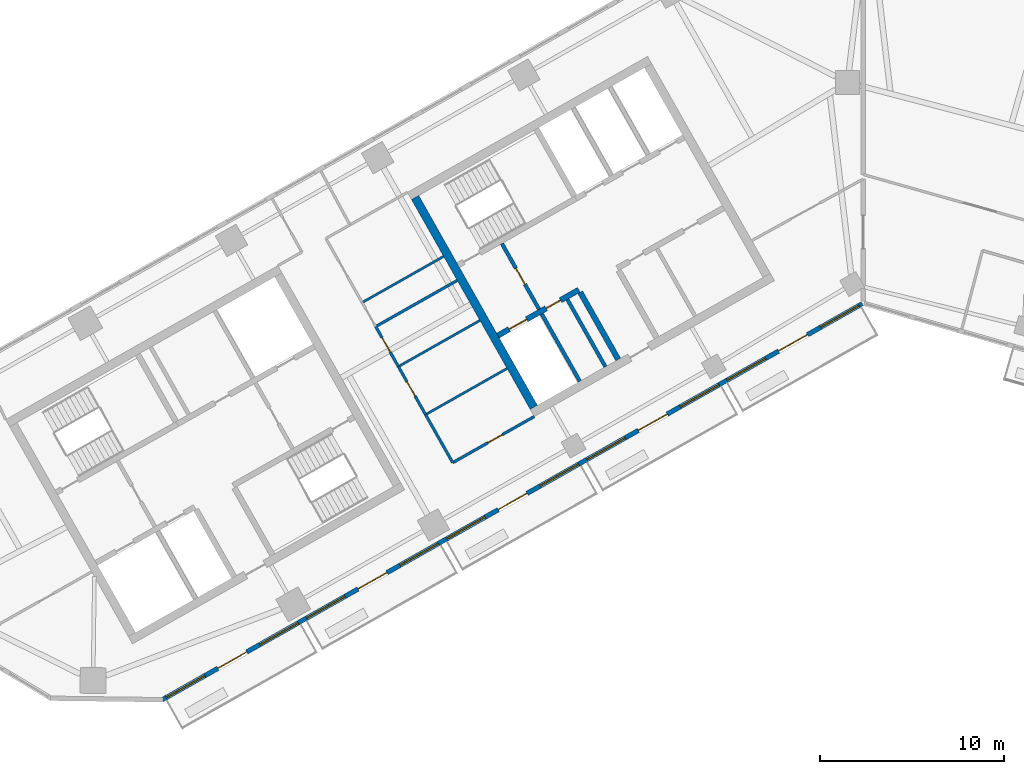
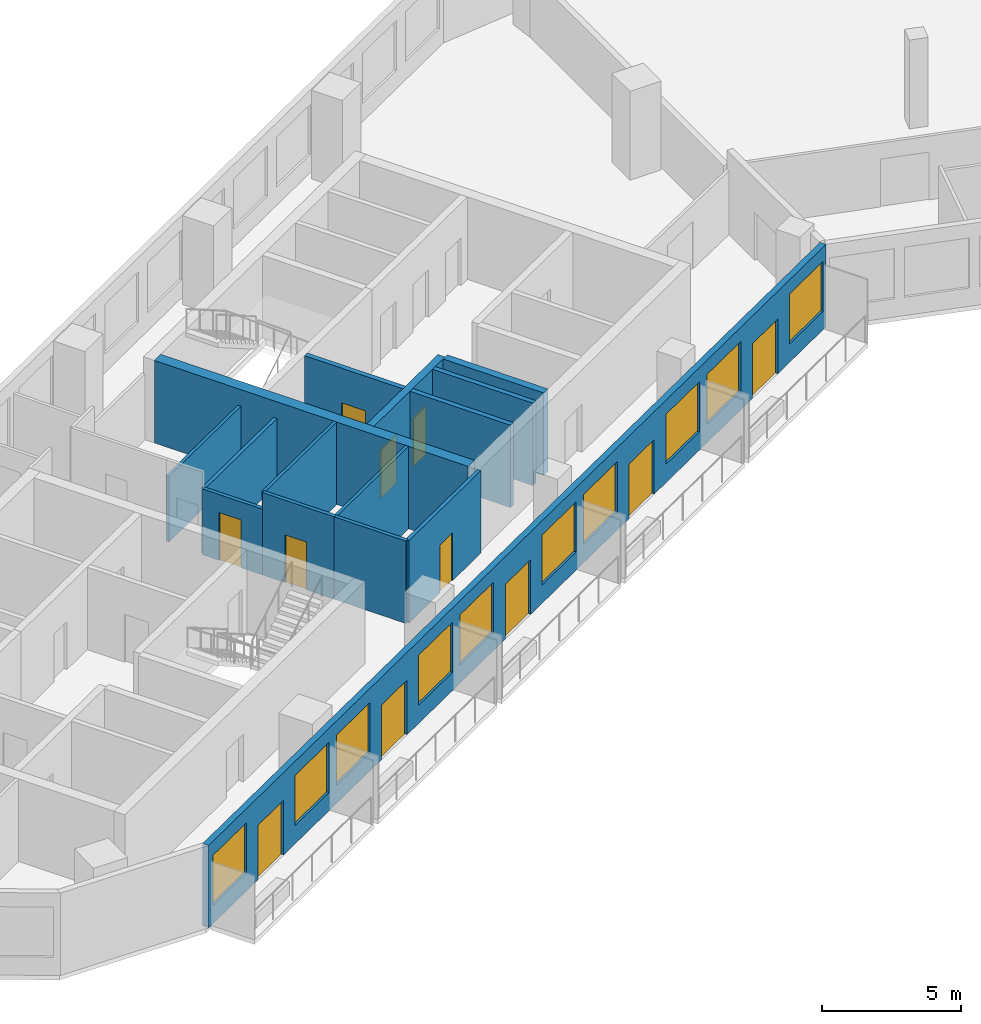
# One storey, part 5 of 11: 15 walls, 11 doors, 10 windows, 21 openings.
"""IFC4 building model written with IfcOpenShell, lengths in metres."""

from ifc_helpers import new_model, si_unit, direction, frame, frame_2d, origin, place, context, subcontext, project, spatial, rectangle, extrude, material, layer, layer_set, type_object, element, fill, save


model = new_model("IFC4")

# Units and contexts
model_context = context("Model", 3, precision=1e-05, world=origin(), true_north=direction((0.0, 1.0)))
body_context = subcontext(model_context, "Body", "Model", "MODEL_VIEW")
ifc_project = project(units=[si_unit("LENGTHUNIT", "METRE"), si_unit("AREAUNIT", "SQUARE_METRE"), si_unit("VOLUMEUNIT", "CUBIC_METRE"), si_unit("PLANEANGLEUNIT", "RADIAN"), si_unit("MASSUNIT", "GRAM", prefix="KILO")], contexts=[model_context])

# Site, building, storey
site_placement = place(None, origin())
site = spatial("IfcSite", under=ifc_project, at=site_placement, CompositionType="ELEMENT")
building_placement = place(site_placement, origin())
building = spatial("IfcBuilding", under=site, at=building_placement, Name="Binnacle Exchange Tower", CompositionType="ELEMENT")
storey_placement = place(building_placement, frame((0.0, 0.0, 219.199951171875)))
storey = spatial("IfcBuildingStorey", under=building, at=storey_placement, Name="L48", CompositionType="ELEMENT", Elevation=219.199951171875)

# Wall, openings, doors
ifc_material_1 = material(Name="Concrete C70/85", Category="concrete")
ifc_layer_1 = layer(ifc_material_1, 0.300048828125)
ifc_layer_set_1 = layer_set([ifc_layer_1], Name="Core wall - front 300")
wall_type_1 = type_object("IfcWallType", Name="Core wall - front 300", PredefinedType="SOLIDWALL", material=ifc_layer_set_1)
wall_1_placement = place(storey_placement, frame((-19.8486328125, 46.242431640625, 0.0), z_axis=(0.0, 0.0, 1.0), x_axis=(0.870347559728, 0.492437940532, 0.0)))
wall_1 = element("IfcWall", 1, at=wall_1_placement, inside=storey, type_object=wall_type_1, Name="Core wall CRWC2", PredefinedType="SOLIDWALL", context=body_context, shape_type="SweptSolid", body=[
    extrude(rectangle(XDim=5.050048828125, YDim=0.300048828125, at=frame_2d((2.52490234375, 0.0))), origin(), (0.0, 0.0, 1.0), 3.6201171875),
])
opening_1_placement = place(wall_1_placement, frame((0.7001953125, 0.0, 0.0)))
opening_1 = element("IfcOpeningElement", 2, at=opening_1_placement, cuts=wall_1, Name="Opening LD14", PredefinedType="OPENING", context=body_context, shape_type="SweptSolid", body=[
    extrude(rectangle(XDim=1.10009765625, YDim=2.10009765625, at=frame_2d((0.550048828125, 1.050048828125))), frame((0.0, 0.159912109375, 0.0), z_axis=(0.0, -1.0, 0.0), x_axis=(1.0, 0.0, 0.0)), (0.0, 0.0, 1.0), 0.320068359375),
])
opening_2_placement = place(wall_1_placement, frame((3.0, 0.0, 0.0)))
opening_2 = element("IfcOpeningElement", 3, at=opening_2_placement, cuts=wall_1, Name="Opening DC14", PredefinedType="OPENING", context=body_context, shape_type="SweptSolid", body=[
    extrude(rectangle(XDim=0.89990234375, YDim=2.10009765625, at=frame_2d((0.449951171875, 1.050048828125))), frame((0.0, 0.159912109375, 0.0), z_axis=(0.0, -1.0, 0.0), x_axis=(1.0, 0.0, 0.0)), (0.0, 0.0, 1.0), 0.320068359375),
])
ifc_material_2 = material(Name="Steel door leaf", Category="steel")
door_type_1 = type_object("IfcDoorType", Name="Fire door - lift landing 1100", OperationType="NOTDEFINED", PredefinedType="DOOR", material=ifc_material_2)
door_1_placement = place(opening_1_placement, origin())
door_1 = element("IfcDoor", 4, at=door_1_placement, inside=storey, type_object=door_type_1, Name="Landing door LD14 L48", OperationType="DOUBLE_DOOR_SLIDING", OverallHeight=2.10009765625, OverallWidth=1.10009765625, PredefinedType="DOOR", context=body_context, shape_type="SweptSolid", body=[
    extrude(rectangle(XDim=1.10009765625, YDim=2.10009765625, at=frame_2d((0.550048828125, 1.050048828125))), frame((0.0, 0.02490234375, 0.0), z_axis=(0.0, -1.0, 0.0), x_axis=(1.0, 0.0, 0.0)), (0.0, 0.0, 1.0), 0.050048828125),
])
fill(opening_1, door_1)
door_type_2 = type_object("IfcDoorType", Name="Fire door 900", OperationType="NOTDEFINED", PredefinedType="DOOR", material=ifc_material_2)
door_2_placement = place(opening_2_placement, frame((0.89990234375, 0.0, 0.0), z_axis=(0.0, 0.0, 1.0), x_axis=(-1.0, 0.0, 0.0)))
door_2 = element("IfcDoor", 5, at=door_2_placement, inside=storey, type_object=door_type_2, Name="Core room door ELECTRICAL ROOM", OperationType="SINGLE_SWING_LEFT", OverallHeight=2.10009765625, OverallWidth=0.89990234375, PredefinedType="DOOR", context=body_context, shape_type="SweptSolid", body=[
    extrude(rectangle(XDim=0.89990234375, YDim=2.10009765625, at=frame_2d((0.449951171875, 1.050048828125))), frame((0.0, 0.02490234375, 0.0), z_axis=(0.0, -1.0, 0.0), x_axis=(1.0, 0.0, 0.0)), (0.0, 0.0, 1.0), 0.050048828125),
])
fill(opening_2, door_2)

# Walls
wall_2_placement = place(storey_placement, frame((-15.37939453125, 48.5986328125, 0.0), z_axis=(0.0, 0.0, 1.0), x_axis=(0.492409653846, -0.870363563575, 0.0)))
element("IfcWall", 6, at=wall_2_placement, inside=storey, type_object=wall_type_1, Name="Core wall CRWC13", PredefinedType="SOLIDWALL", context=body_context, shape_type="SweptSolid", body=[
    extrude(rectangle(XDim=4.199951171875, YDim=0.300048828125, at=frame_2d((2.10009765625, 0.0))), origin(), (0.0, 0.0, 1.0), 3.6201171875),
])
ifc_layer_2 = layer(ifc_material_1, 0.449951171875)
ifc_layer_set_2 = layer_set([ifc_layer_2], Name="Core wall - outer 450")
wall_type_2 = type_object("IfcWallType", Name="Core wall - outer 450", PredefinedType="SOLIDWALL", material=ifc_layer_set_2)
wall_3_placement = place(storey_placement, frame((-24.353271484375, 53.747314453125, 0.0), z_axis=(0.0, 0.0, 1.0), x_axis=(0.492435496286, -0.870348942665, 0.0)))
element("IfcWall", 7, at=wall_3_placement, inside=storey, type_object=wall_type_2, Name="Core wall CRWC7", PredefinedType="SOLIDWALL", context=body_context, shape_type="SweptSolid", body=[
    extrude(rectangle(XDim=13.10009765625, YDim=0.449951171875, at=frame_2d((6.550048828125, 0.0))), origin(), (0.0, 0.0, 1.0), 3.6201171875),
])

# Wall, openings, doors, windows
ifc_material_3 = material(Name="Bronze aluminium cladding", Category="aluminium")
ifc_layer_3 = layer(ifc_material_3, 0.25)
ifc_layer_set_3 = layer_set([ifc_layer_3], Name="External wall - window wall 250")
wall_type_3 = type_object("IfcWallType", Name="External wall - window wall 250", PredefinedType="STANDARD", material=ifc_layer_set_3)
wall_4_placement = place(storey_placement, frame((-0.045654296875, 47.97412109375, 0.0), z_axis=(0.0, 0.0, 1.0), x_axis=(-0.870356579543, -0.492421998337, 0.0)))
wall_4 = element("IfcWall", 8, at=wall_4_placement, inside=storey, type_object=wall_type_3, Name="External wall EW-G01 L48", PredefinedType="STANDARD", context=body_context, shape_type="SweptSolid", body=[
    extrude(rectangle(XDim=43.75390625, YDim=0.25, at=frame_2d((21.876953125, 0.0))), origin(), (0.0, 0.0, 1.0), 3.6201171875),
])
opening_3_placement = place(wall_4_placement, frame((41.061279296875, 0.0, 0.800048828125)))
opening_3 = element("IfcOpeningElement", 9, at=opening_3_placement, cuts=wall_4, Name="Opening WR1", PredefinedType="OPENING", context=body_context, shape_type="SweptSolid", body=[
    extrude(rectangle(XDim=2.39990234375, YDim=2.199951171875, at=frame_2d((1.199951171875, 1.10009765625))), frame((0.0, 0.135009765625, 0.0), z_axis=(0.0, -1.0, 0.0), x_axis=(1.0, 0.0, 0.0)), (0.0, 0.0, 1.0), 0.27001953125),
])
opening_4_placement = place(wall_4_placement, frame((38.443115234375, 0.0, 0.0)))
opening_4 = element("IfcOpeningElement", 10, at=opening_4_placement, cuts=wall_4, Name="Opening D-FS13-01", PredefinedType="OPENING", context=body_context, shape_type="SweptSolid", body=[
    extrude(rectangle(XDim=1.800048828125, YDim=2.39990234375, at=frame_2d((0.89990234375, 1.199951171875))), frame((0.0, 0.135009765625, 0.0), z_axis=(0.0, -1.0, 0.0), x_axis=(1.0, 0.0, 0.0)), (0.0, 0.0, 1.0), 0.27001953125),
])
opening_5_placement = place(wall_4_placement, frame((35.224853515625, 0.0, 0.800048828125)))
opening_5 = element("IfcOpeningElement", 11, at=opening_5_placement, cuts=wall_4, Name="Opening WR1", PredefinedType="OPENING", context=body_context, shape_type="SweptSolid", body=[
    extrude(rectangle(XDim=2.39990234375, YDim=2.199951171875, at=frame_2d((1.199951171875, 1.10009765625))), frame((0.0, 0.135009765625, 0.0), z_axis=(0.0, -1.0, 0.0), x_axis=(1.0, 0.0, 0.0)), (0.0, 0.0, 1.0), 0.27001953125),
])
opening_6_placement = place(wall_4_placement, frame((32.306640625, 0.0, 0.800048828125)))
opening_6 = element("IfcOpeningElement", 12, at=opening_6_placement, cuts=wall_4, Name="Opening WR1", PredefinedType="OPENING", context=body_context, shape_type="SweptSolid", body=[
    extrude(rectangle(XDim=2.39990234375, YDim=2.199951171875, at=frame_2d((1.199951171875, 1.10009765625))), frame((0.0, 0.135009765625, 0.0), z_axis=(0.0, -1.0, 0.0), x_axis=(1.0, 0.0, 0.0)), (0.0, 0.0, 1.0), 0.27001953125),
])
opening_7_placement = place(wall_4_placement, frame((29.6884765625, 0.0, 0.0)))
opening_7 = element("IfcOpeningElement", 13, at=opening_7_placement, cuts=wall_4, Name="Opening D-FS13-02", PredefinedType="OPENING", context=body_context, shape_type="SweptSolid", body=[
    extrude(rectangle(XDim=1.800048828125, YDim=2.39990234375, at=frame_2d((0.89990234375, 1.199951171875))), frame((0.0, 0.135009765625, 0.0), z_axis=(0.0, -1.0, 0.0), x_axis=(1.0, 0.0, 0.0)), (0.0, 0.0, 1.0), 0.27001953125),
])
opening_8_placement = place(wall_4_placement, frame((26.47021484375, 0.0, 0.800048828125)))
opening_8 = element("IfcOpeningElement", 14, at=opening_8_placement, cuts=wall_4, Name="Opening WR1", PredefinedType="OPENING", context=body_context, shape_type="SweptSolid", body=[
    extrude(rectangle(XDim=2.39990234375, YDim=2.199951171875, at=frame_2d((1.199951171875, 1.10009765625))), frame((0.0, 0.135009765625, 0.0), z_axis=(0.0, -1.0, 0.0), x_axis=(1.0, 0.0, 0.0)), (0.0, 0.0, 1.0), 0.27001953125),
])
opening_9_placement = place(wall_4_placement, frame((23.552001953125, 0.0, 0.800048828125)))
opening_9 = element("IfcOpeningElement", 15, at=opening_9_placement, cuts=wall_4, Name="Opening WR1", PredefinedType="OPENING", context=body_context, shape_type="SweptSolid", body=[
    extrude(rectangle(XDim=2.39990234375, YDim=2.199951171875, at=frame_2d((1.199951171875, 1.10009765625))), frame((0.0, 0.135009765625, 0.0), z_axis=(0.0, -1.0, 0.0), x_axis=(1.0, 0.0, 0.0)), (0.0, 0.0, 1.0), 0.27001953125),
])
opening_10_placement = place(wall_4_placement, frame((20.93408203125, 0.0, 0.0)))
opening_10 = element("IfcOpeningElement", 16, at=opening_10_placement, cuts=wall_4, Name="Opening D-FS13-03", PredefinedType="OPENING", context=body_context, shape_type="SweptSolid", body=[
    extrude(rectangle(XDim=1.7998046875, YDim=2.39990234375, at=frame_2d((0.89990234375, 1.199951171875))), frame((0.0, 0.135009765625, 0.0), z_axis=(0.0, -1.0, 0.0), x_axis=(1.0, 0.0, 0.0)), (0.0, 0.0, 1.0), 0.27001953125),
])
opening_11_placement = place(wall_4_placement, frame((17.7158203125, 0.0, 0.800048828125)))
opening_11 = element("IfcOpeningElement", 17, at=opening_11_placement, cuts=wall_4, Name="Opening WR1", PredefinedType="OPENING", context=body_context, shape_type="SweptSolid", body=[
    extrude(rectangle(XDim=2.39990234375, YDim=2.199951171875, at=frame_2d((1.199951171875, 1.10009765625))), frame((0.0, 0.135009765625, 0.0), z_axis=(0.0, -1.0, 0.0), x_axis=(1.0, 0.0, 0.0)), (0.0, 0.0, 1.0), 0.27001953125),
])
opening_12_placement = place(wall_4_placement, frame((14.797607421875, 0.0, 0.800048828125)))
opening_12 = element("IfcOpeningElement", 18, at=opening_12_placement, cuts=wall_4, Name="Opening WR1", PredefinedType="OPENING", context=body_context, shape_type="SweptSolid", body=[
    extrude(rectangle(XDim=2.39990234375, YDim=2.199951171875, at=frame_2d((1.199951171875, 1.10009765625))), frame((0.0, 0.135009765625, 0.0), z_axis=(0.0, -1.0, 0.0), x_axis=(1.0, 0.0, 0.0)), (0.0, 0.0, 1.0), 0.27001953125),
])
opening_13_placement = place(wall_4_placement, frame((12.179443359375, 0.0, 0.0)))
opening_13 = element("IfcOpeningElement", 19, at=opening_13_placement, cuts=wall_4, Name="Opening D-FS13-04", PredefinedType="OPENING", context=body_context, shape_type="SweptSolid", body=[
    extrude(rectangle(XDim=1.800048828125, YDim=2.39990234375, at=frame_2d((0.89990234375, 1.199951171875))), frame((0.0, 0.135009765625, 0.0), z_axis=(0.0, -1.0, 0.0), x_axis=(1.0, 0.0, 0.0)), (0.0, 0.0, 1.0), 0.27001953125),
])
opening_14_placement = place(wall_4_placement, frame((8.961181640625, 0.0, 0.800048828125)))
opening_14 = element("IfcOpeningElement", 20, at=opening_14_placement, cuts=wall_4, Name="Opening WR1", PredefinedType="OPENING", context=body_context, shape_type="SweptSolid", body=[
    extrude(rectangle(XDim=2.39990234375, YDim=2.199951171875, at=frame_2d((1.199951171875, 1.10009765625))), frame((0.0, 0.135009765625, 0.0), z_axis=(0.0, -1.0, 0.0), x_axis=(1.0, 0.0, 0.0)), (0.0, 0.0, 1.0), 0.27001953125),
])
opening_15_placement = place(wall_4_placement, frame((6.04296875, 0.0, 0.800048828125)))
opening_15 = element("IfcOpeningElement", 21, at=opening_15_placement, cuts=wall_4, Name="Opening WR1", PredefinedType="OPENING", context=body_context, shape_type="SweptSolid", body=[
    extrude(rectangle(XDim=2.400146484375, YDim=2.199951171875, at=frame_2d((1.2001953125, 1.10009765625))), frame((0.0, 0.135009765625, 0.0), z_axis=(0.0, -1.0, 0.0), x_axis=(1.0, 0.0, 0.0)), (0.0, 0.0, 1.0), 0.27001953125),
])
opening_16_placement = place(wall_4_placement, frame((3.4248046875, 0.0, 0.0)))
opening_16 = element("IfcOpeningElement", 22, at=opening_16_placement, cuts=wall_4, Name="Opening D-FS13-05", PredefinedType="OPENING", context=body_context, shape_type="SweptSolid", body=[
    extrude(rectangle(XDim=1.800048828125, YDim=2.39990234375, at=frame_2d((0.89990234375, 1.199951171875))), frame((0.0, 0.135009765625, 0.0), z_axis=(0.0, -1.0, 0.0), x_axis=(1.0, 0.0, 0.0)), (0.0, 0.0, 1.0), 0.27001953125),
])
opening_17_placement = place(wall_4_placement, frame((0.206787109375, 0.0, 0.800048828125)))
opening_17 = element("IfcOpeningElement", 23, at=opening_17_placement, cuts=wall_4, Name="Opening WR1", PredefinedType="OPENING", context=body_context, shape_type="SweptSolid", body=[
    extrude(rectangle(XDim=2.39990234375, YDim=2.199951171875, at=frame_2d((1.199951171875, 1.10009765625))), frame((0.0, 0.135009765625, 0.0), z_axis=(0.0, -1.0, 0.0), x_axis=(1.0, 0.0, 0.0)), (0.0, 0.0, 1.0), 0.27001953125),
])
ifc_material_4 = material(Name="Bronze anodised aluminium frame", Category="aluminium")
door_type_3 = type_object("IfcDoorType", Name="DB DOOR 1800x2400", OperationType="DOUBLE_DOOR_SINGLE_SWING", PredefinedType="DOOR", material=ifc_material_4)
door_3_placement = place(opening_4_placement, origin())
door_3 = element("IfcDoor", 24, at=door_3_placement, inside=storey, type_object=door_type_3, Name="Door D-FS13-01 L48", OperationType="DOUBLE_DOOR_SINGLE_SWING", OverallHeight=2.39990234375, OverallWidth=1.800048828125, PredefinedType="DOOR", context=body_context, shape_type="SweptSolid", body=[
    extrude(rectangle(XDim=1.800048828125, YDim=2.39990234375, at=frame_2d((0.89990234375, 1.199951171875))), frame((0.0, 0.02490234375, 0.0), z_axis=(0.0, -1.0, 0.0), x_axis=(1.0, 0.0, 0.0)), (0.0, 0.0, 1.0), 0.050048828125),
])
fill(opening_4, door_3)
door_4_placement = place(opening_7_placement, origin())
door_4 = element("IfcDoor", 25, at=door_4_placement, inside=storey, type_object=door_type_3, Name="Door D-FS13-02 L48", OperationType="DOUBLE_DOOR_SINGLE_SWING", OverallHeight=2.39990234375, OverallWidth=1.800048828125, PredefinedType="DOOR", context=body_context, shape_type="SweptSolid", body=[
    extrude(rectangle(XDim=1.800048828125, YDim=2.39990234375, at=frame_2d((0.89990234375, 1.199951171875))), frame((0.0, 0.02490234375, 0.0), z_axis=(0.0, -1.0, 0.0), x_axis=(1.0, 0.0, 0.0)), (0.0, 0.0, 1.0), 0.050048828125),
])
fill(opening_7, door_4)
door_5_placement = place(opening_10_placement, origin())
door_5 = element("IfcDoor", 26, at=door_5_placement, inside=storey, type_object=door_type_3, Name="Door D-FS13-03 L48", OperationType="DOUBLE_DOOR_SINGLE_SWING", OverallHeight=2.39990234375, OverallWidth=1.7998046875, PredefinedType="DOOR", context=body_context, shape_type="SweptSolid", body=[
    extrude(rectangle(XDim=1.7998046875, YDim=2.39990234375, at=frame_2d((0.89990234375, 1.199951171875))), frame((0.0, 0.02490234375, 0.0), z_axis=(0.0, -1.0, 0.0), x_axis=(1.0, 0.0, 0.0)), (0.0, 0.0, 1.0), 0.050048828125),
])
fill(opening_10, door_5)
door_6_placement = place(opening_13_placement, origin())
door_6 = element("IfcDoor", 27, at=door_6_placement, inside=storey, type_object=door_type_3, Name="Door D-FS13-04 L48", OperationType="DOUBLE_DOOR_SINGLE_SWING", OverallHeight=2.39990234375, OverallWidth=1.800048828125, PredefinedType="DOOR", context=body_context, shape_type="SweptSolid", body=[
    extrude(rectangle(XDim=1.800048828125, YDim=2.39990234375, at=frame_2d((0.89990234375, 1.199951171875))), frame((0.0, 0.02490234375, 0.0), z_axis=(0.0, -1.0, 0.0), x_axis=(1.0, 0.0, 0.0)), (0.0, 0.0, 1.0), 0.050048828125),
])
fill(opening_13, door_6)
door_7_placement = place(opening_16_placement, origin())
door_7 = element("IfcDoor", 28, at=door_7_placement, inside=storey, type_object=door_type_3, Name="Door D-FS13-05 L48", OperationType="DOUBLE_DOOR_SINGLE_SWING", OverallHeight=2.39990234375, OverallWidth=1.800048828125, PredefinedType="DOOR", context=body_context, shape_type="SweptSolid", body=[
    extrude(rectangle(XDim=1.800048828125, YDim=2.39990234375, at=frame_2d((0.89990234375, 1.199951171875))), frame((0.0, 0.02490234375, 0.0), z_axis=(0.0, -1.0, 0.0), x_axis=(1.0, 0.0, 0.0)), (0.0, 0.0, 1.0), 0.050048828125),
])
fill(opening_16, door_7)
window_type = type_object("IfcWindowType", Name="WR1 WINDOW 2400x2200", PartitioningType="SINGLE_PANEL", PredefinedType="WINDOW", material=ifc_material_4)
window_1_placement = place(opening_3_placement, origin())
window_1 = element("IfcWindow", 29, at=window_1_placement, inside=storey, type_object=window_type, Name="Window WR1 L48", OverallHeight=2.199951171875, OverallWidth=2.39990234375, PartitioningType="SINGLE_PANEL", PredefinedType="WINDOW", context=body_context, shape_type="SweptSolid", body=[
    extrude(rectangle(XDim=2.39990234375, YDim=2.199951171875, at=frame_2d((1.199951171875, 1.10009765625))), frame((0.0, 0.030029296875, 0.0), z_axis=(0.0, -1.0, 0.0), x_axis=(1.0, 0.0, 0.0)), (0.0, 0.0, 1.0), 0.06005859375),
])
fill(opening_3, window_1)
window_2_placement = place(opening_5_placement, origin())
window_2 = element("IfcWindow", 30, at=window_2_placement, inside=storey, type_object=window_type, Name="Window WR1 L48", OverallHeight=2.199951171875, OverallWidth=2.39990234375, PartitioningType="SINGLE_PANEL", PredefinedType="WINDOW", context=body_context, shape_type="SweptSolid", body=[
    extrude(rectangle(XDim=2.39990234375, YDim=2.199951171875, at=frame_2d((1.199951171875, 1.10009765625))), frame((0.0, 0.030029296875, 0.0), z_axis=(0.0, -1.0, 0.0), x_axis=(1.0, 0.0, 0.0)), (0.0, 0.0, 1.0), 0.06005859375),
])
fill(opening_5, window_2)
window_3_placement = place(opening_6_placement, origin())
window_3 = element("IfcWindow", 31, at=window_3_placement, inside=storey, type_object=window_type, Name="Window WR1 L48", OverallHeight=2.199951171875, OverallWidth=2.39990234375, PartitioningType="SINGLE_PANEL", PredefinedType="WINDOW", context=body_context, shape_type="SweptSolid", body=[
    extrude(rectangle(XDim=2.39990234375, YDim=2.199951171875, at=frame_2d((1.199951171875, 1.10009765625))), frame((0.0, 0.030029296875, 0.0), z_axis=(0.0, -1.0, 0.0), x_axis=(1.0, 0.0, 0.0)), (0.0, 0.0, 1.0), 0.06005859375),
])
fill(opening_6, window_3)
window_4_placement = place(opening_8_placement, origin())
window_4 = element("IfcWindow", 32, at=window_4_placement, inside=storey, type_object=window_type, Name="Window WR1 L48", OverallHeight=2.199951171875, OverallWidth=2.39990234375, PartitioningType="SINGLE_PANEL", PredefinedType="WINDOW", context=body_context, shape_type="SweptSolid", body=[
    extrude(rectangle(XDim=2.39990234375, YDim=2.199951171875, at=frame_2d((1.199951171875, 1.10009765625))), frame((0.0, 0.030029296875, 0.0), z_axis=(0.0, -1.0, 0.0), x_axis=(1.0, 0.0, 0.0)), (0.0, 0.0, 1.0), 0.06005859375),
])
fill(opening_8, window_4)
window_5_placement = place(opening_9_placement, origin())
window_5 = element("IfcWindow", 33, at=window_5_placement, inside=storey, type_object=window_type, Name="Window WR1 L48", OverallHeight=2.199951171875, OverallWidth=2.39990234375, PartitioningType="SINGLE_PANEL", PredefinedType="WINDOW", context=body_context, shape_type="SweptSolid", body=[
    extrude(rectangle(XDim=2.39990234375, YDim=2.199951171875, at=frame_2d((1.199951171875, 1.10009765625))), frame((0.0, 0.030029296875, 0.0), z_axis=(0.0, -1.0, 0.0), x_axis=(1.0, 0.0, 0.0)), (0.0, 0.0, 1.0), 0.06005859375),
])
fill(opening_9, window_5)
window_6_placement = place(opening_11_placement, origin())
window_6 = element("IfcWindow", 34, at=window_6_placement, inside=storey, type_object=window_type, Name="Window WR1 L48", OverallHeight=2.199951171875, OverallWidth=2.39990234375, PartitioningType="SINGLE_PANEL", PredefinedType="WINDOW", context=body_context, shape_type="SweptSolid", body=[
    extrude(rectangle(XDim=2.39990234375, YDim=2.199951171875, at=frame_2d((1.199951171875, 1.10009765625))), frame((0.0, 0.030029296875, 0.0), z_axis=(0.0, -1.0, 0.0), x_axis=(1.0, 0.0, 0.0)), (0.0, 0.0, 1.0), 0.06005859375),
])
fill(opening_11, window_6)
window_7_placement = place(opening_12_placement, origin())
window_7 = element("IfcWindow", 35, at=window_7_placement, inside=storey, type_object=window_type, Name="Window WR1 L48", OverallHeight=2.199951171875, OverallWidth=2.39990234375, PartitioningType="SINGLE_PANEL", PredefinedType="WINDOW", context=body_context, shape_type="SweptSolid", body=[
    extrude(rectangle(XDim=2.39990234375, YDim=2.199951171875, at=frame_2d((1.199951171875, 1.10009765625))), frame((0.0, 0.030029296875, 0.0), z_axis=(0.0, -1.0, 0.0), x_axis=(1.0, 0.0, 0.0)), (0.0, 0.0, 1.0), 0.06005859375),
])
fill(opening_12, window_7)
window_8_placement = place(opening_14_placement, origin())
window_8 = element("IfcWindow", 36, at=window_8_placement, inside=storey, type_object=window_type, Name="Window WR1 L48", OverallHeight=2.199951171875, OverallWidth=2.39990234375, PartitioningType="SINGLE_PANEL", PredefinedType="WINDOW", context=body_context, shape_type="SweptSolid", body=[
    extrude(rectangle(XDim=2.39990234375, YDim=2.199951171875, at=frame_2d((1.199951171875, 1.10009765625))), frame((0.0, 0.030029296875, 0.0), z_axis=(0.0, -1.0, 0.0), x_axis=(1.0, 0.0, 0.0)), (0.0, 0.0, 1.0), 0.06005859375),
])
fill(opening_14, window_8)
window_9_placement = place(opening_15_placement, origin())
window_9 = element("IfcWindow", 37, at=window_9_placement, inside=storey, type_object=window_type, Name="Window WR1 L48", OverallHeight=2.199951171875, OverallWidth=2.400146484375, PartitioningType="SINGLE_PANEL", PredefinedType="WINDOW", context=body_context, shape_type="SweptSolid", body=[
    extrude(rectangle(XDim=2.400146484375, YDim=2.199951171875, at=frame_2d((1.2001953125, 1.10009765625))), frame((0.0, 0.030029296875, 0.0), z_axis=(0.0, -1.0, 0.0), x_axis=(1.0, 0.0, 0.0)), (0.0, 0.0, 1.0), 0.06005859375),
])
fill(opening_15, window_9)
window_10_placement = place(opening_17_placement, origin())
window_10 = element("IfcWindow", 38, at=window_10_placement, inside=storey, type_object=window_type, Name="Window WR1 L48", OverallHeight=2.199951171875, OverallWidth=2.39990234375, PartitioningType="SINGLE_PANEL", PredefinedType="WINDOW", context=body_context, shape_type="SweptSolid", body=[
    extrude(rectangle(XDim=2.39990234375, YDim=2.199951171875, at=frame_2d((1.199951171875, 1.10009765625))), frame((0.0, 0.030029296875, 0.0), z_axis=(0.0, -1.0, 0.0), x_axis=(1.0, 0.0, 0.0)), (0.0, 0.0, 1.0), 0.06005859375),
])
fill(opening_17, window_10)

# Wall, opening, door
ifc_material_5 = material(Name="Masonry block wall", Category="masonry")
ifc_layer_4 = layer(ifc_material_5, 0.199951171875)
ifc_layer_set_4 = layer_set([ifc_layer_4], Name="Fire wall - vestibule 200")
wall_type_4 = type_object("IfcWallType", Name="Fire wall - vestibule 200", PredefinedType="PARTITIONING", material=ifc_layer_set_4)
wall_5_placement = place(storey_placement, frame((-19.635009765625, 51.246337890625, 0.0), z_axis=(0.0, 0.0, 1.0), x_axis=(0.492408451753, -0.87036424366, 0.0)))
wall_5 = element("IfcWall", 39, at=wall_5_placement, inside=storey, type_object=wall_type_4, Name="Core wall CRWC10", PredefinedType="PARTITIONING", context=body_context, shape_type="SweptSolid", body=[
    extrude(rectangle(XDim=4.099853515625, YDim=0.199951171875, at=frame_2d((2.0498046875, 0.0))), origin(), (0.0, 0.0, 1.0), 3.6201171875),
])
opening_18_placement = place(wall_5_placement, frame((1.550048828125, 0.0, 0.0)))
opening_18 = element("IfcOpeningElement", 40, at=opening_18_placement, cuts=wall_5, Name="Opening DC3", PredefinedType="OPENING", context=body_context, shape_type="SweptSolid", body=[
    extrude(rectangle(XDim=1.0, YDim=2.10009765625, at=frame_2d((0.5, 1.050048828125))), frame((0.0, 0.10986328125, 0.0), z_axis=(0.0, -1.0, 0.0), x_axis=(1.0, 0.0, 0.0)), (0.0, 0.0, 1.0), 0.219970703125),
])
door_type_4 = type_object("IfcDoorType", Name="Fire door 1000", OperationType="NOTDEFINED", PredefinedType="DOOR", material=ifc_material_2)
door_8_placement = place(opening_18_placement, frame((1.0, 0.0, 0.0), z_axis=(0.0, 0.0, 1.0), x_axis=(-1.0, 0.0, 0.0)))
door_8 = element("IfcDoor", 41, at=door_8_placement, inside=storey, type_object=door_type_4, Name="Vestibule door VEST-W", OperationType="SINGLE_SWING_RIGHT", OverallHeight=2.10009765625, OverallWidth=1.0, PredefinedType="DOOR", context=body_context, shape_type="SweptSolid", body=[
    extrude(rectangle(XDim=1.0, YDim=2.10009765625, at=frame_2d((0.5, 1.050048828125))), frame((0.0, 0.02490234375, 0.0), z_axis=(0.0, -1.0, 0.0), x_axis=(1.0, 0.0, 0.0)), (0.0, 0.0, 1.0), 0.050048828125),
])
fill(opening_18, door_8)

ifc_material_6 = material(Name="Gypsum partition fire rated")
ifc_layer_5 = layer(ifc_material_6, 0.14990234375)
ifc_layer_set_5 = layer_set([ifc_layer_5], Name="Fire-rated partition 150")
wall_type_5 = type_object("IfcWallType", Name="Fire-rated partition 150", PredefinedType="PARTITIONING", material=ifc_layer_set_5)
wall_6_placement = place(storey_placement, frame((-26.492919921875, 46.73388671875, 0.0), z_axis=(0.0, 0.0, 1.0), x_axis=(0.49257867544, -0.870267917656, 0.0)))
wall_6 = element("IfcWall", 42, at=wall_6_placement, inside=storey, type_object=wall_type_5, Name="Partition W13", PredefinedType="PARTITIONING", context=body_context, shape_type="SweptSolid", body=[
    extrude(rectangle(XDim=2.4990234375, YDim=0.14990234375, at=frame_2d((1.24951171875, 0.0))), origin(), (0.0, 0.0, 1.0), 2.89208984375),
])
opening_19_placement = place(wall_6_placement, frame((0.699951171875, 0.0, 0.0)))
opening_19 = element("IfcOpeningElement", 43, at=opening_19_placement, cuts=wall_6, Name="Opening DL48-07", PredefinedType="OPENING", context=body_context, shape_type="SweptSolid", body=[
    extrude(rectangle(XDim=0.89990234375, YDim=2.10009765625, at=frame_2d((0.449951171875, 1.050048828125))), frame((0.0, 0.0849609375, 0.0), z_axis=(0.0, -1.0, 0.0), x_axis=(1.0, 0.0, 0.0)), (0.0, 0.0, 1.0), 0.169921875),
])
door_9_placement = place(opening_19_placement, origin())
door_9 = element("IfcDoor", 44, at=door_9_placement, inside=storey, type_object=door_type_2, Name="Door DL48-07", OperationType="SINGLE_SWING_LEFT", OverallHeight=2.10009765625, OverallWidth=0.89990234375, PredefinedType="DOOR", context=body_context, shape_type="SweptSolid", body=[
    extrude(rectangle(XDim=0.89990234375, YDim=2.10009765625, at=frame_2d((0.449951171875, 1.050048828125))), frame((0.0, 0.02490234375, 0.0), z_axis=(0.0, -1.0, 0.0), x_axis=(1.0, 0.0, 0.0)), (0.0, 0.0, 1.0), 0.050048828125),
])
fill(opening_19, door_9)

# Wall
wall_7_placement = place(storey_placement, frame((-26.492919921875, 46.73388671875, 0.0), z_axis=(0.0, 0.0, 1.0), x_axis=(0.870339461844, 0.492452252668, 0.0)))
element("IfcWall", 45, at=wall_7_placement, inside=storey, type_object=wall_type_5, Name="Partition W14", PredefinedType="PARTITIONING", context=body_context, shape_type="SweptSolid", body=[
    extrude(rectangle(XDim=5.091064453125, YDim=0.14990234375, at=frame_2d((2.54541015625, 0.0))), origin(), (0.0, 0.0, 1.0), 2.89208984375),
])

# Wall, opening, door
wall_8_placement = place(storey_placement, frame((-25.261962890625, 44.55908203125, 0.0), z_axis=(0.0, 0.0, 1.0), x_axis=(0.492226144536, -0.870467358742, 0.0)))
wall_8 = element("IfcWall", 46, at=wall_8_placement, inside=storey, type_object=wall_type_5, Name="Partition W15", PredefinedType="PARTITIONING", context=body_context, shape_type="SweptSolid", body=[
    extrude(rectangle(XDim=3.000732421875, YDim=0.14990234375, at=frame_2d((1.50048828125, 0.0))), origin(), (0.0, 0.0, 1.0), 3.6201171875),
])
opening_20_placement = place(wall_8_placement, frame((0.949951171875, 0.0, 0.0)))
opening_20 = element("IfcOpeningElement", 47, at=opening_20_placement, cuts=wall_8, Name="Opening DL48-06", PredefinedType="OPENING", context=body_context, shape_type="SweptSolid", body=[
    extrude(rectangle(XDim=0.89990234375, YDim=2.10009765625, at=frame_2d((0.449951171875, 1.050048828125))), frame((0.0, 0.0849609375, 0.0), z_axis=(0.0, -1.0, 0.0), x_axis=(1.0, 0.0, 0.0)), (0.0, 0.0, 1.0), 0.169921875),
])
door_10_placement = place(opening_20_placement, origin())
door_10 = element("IfcDoor", 48, at=door_10_placement, inside=storey, type_object=door_type_2, Name="Door DL48-06", OperationType="SINGLE_SWING_LEFT", OverallHeight=2.10009765625, OverallWidth=0.89990234375, PredefinedType="DOOR", context=body_context, shape_type="SweptSolid", body=[
    extrude(rectangle(XDim=0.89990234375, YDim=2.10009765625, at=frame_2d((0.449951171875, 1.050048828125))), frame((0.0, 0.02490234375, 0.0), z_axis=(0.0, -1.0, 0.0), x_axis=(1.0, 0.0, 0.0)), (0.0, 0.0, 1.0), 0.050048828125),
])
fill(opening_20, door_10)

# Wall
wall_9_placement = place(storey_placement, frame((-23.784912109375, 41.947021484375, 0.0), z_axis=(0.0, 0.0, 1.0), x_axis=(0.492303960105, -0.870423351516, 0.0)))
element("IfcWall", 49, at=wall_9_placement, inside=storey, type_object=wall_type_5, Name="Partition W17", PredefinedType="PARTITIONING", context=body_context, shape_type="SweptSolid", body=[
    extrude(rectangle(XDim=2.999755859375, YDim=0.14990234375, at=frame_2d((1.5, 0.0))), origin(), (0.0, 0.0, 1.0), 3.6201171875),
])

# Wall, opening, door
wall_10_placement = place(storey_placement, frame((-22.30810546875, 39.3359375, 0.0), z_axis=(0.0, 0.0, 1.0), x_axis=(0.870351090701, 0.492431699747, 0.0)))
wall_10 = element("IfcWall", 50, at=wall_10_placement, inside=storey, type_object=wall_type_5, Name="Partition W19", PredefinedType="PARTITIONING", context=body_context, shape_type="SweptSolid", body=[
    extrude(rectangle(XDim=5.09130859375, YDim=0.14990234375, at=frame_2d((2.545654296875, 0.0))), origin(), (0.0, 0.0, 1.0), 3.6201171875),
])
opening_21_placement = place(wall_10_placement, frame((2.199951171875, 0.0, 0.0)))
opening_21 = element("IfcOpeningElement", 51, at=opening_21_placement, cuts=wall_10, Name="Opening DL48-05", PredefinedType="OPENING", context=body_context, shape_type="SweptSolid", body=[
    extrude(rectangle(XDim=0.89990234375, YDim=2.10009765625, at=frame_2d((0.449951171875, 1.050048828125))), frame((0.0, 0.0849609375, 0.0), z_axis=(0.0, -1.0, 0.0), x_axis=(1.0, 0.0, 0.0)), (0.0, 0.0, 1.0), 0.169921875),
])
door_11_placement = place(opening_21_placement, origin())
door_11 = element("IfcDoor", 52, at=door_11_placement, inside=storey, type_object=door_type_2, Name="Door DL48-05", OperationType="SINGLE_SWING_RIGHT", OverallHeight=2.10009765625, OverallWidth=0.89990234375, PredefinedType="DOOR", context=body_context, shape_type="SweptSolid", body=[
    extrude(rectangle(XDim=0.89990234375, YDim=2.10009765625, at=frame_2d((0.449951171875, 1.050048828125))), frame((0.0, 0.02490234375, 0.0), z_axis=(0.0, -1.0, 0.0), x_axis=(1.0, 0.0, 0.0)), (0.0, 0.0, 1.0), 0.050048828125),
])
fill(opening_21, door_11)

# Walls
ifc_material_7 = material(Name="Gypsum partition")
ifc_layer_6 = layer(ifc_material_7, 0.125)
ifc_layer_set_6 = layer_set([ifc_layer_6], Name="Partition 125")
wall_type_6 = type_object("IfcWallType", Name="Partition 125", PredefinedType="PARTITIONING", material=ifc_layer_set_6)
wall_11_placement = place(storey_placement, frame((-27.23193359375, 48.0400390625, 0.0), z_axis=(0.0, 0.0, 1.0), x_axis=(0.870339461844, 0.492452252668, 0.0)))
element("IfcWall", 53, at=wall_11_placement, inside=storey, type_object=wall_type_6, Name="Partition W12", PredefinedType="PARTITIONING", context=body_context, shape_type="SweptSolid", body=[
    extrude(rectangle(XDim=5.091064453125, YDim=0.125, at=frame_2d((2.54541015625, 0.0))), origin(), (0.0, 0.0, 1.0), 2.89208984375),
])
wall_12_placement = place(storey_placement, frame((-25.261962890625, 44.55908203125, 0.0), z_axis=(0.0, 0.0, 1.0), x_axis=(0.870442223229, 0.492270592276, 0.0)))
element("IfcWall", 54, at=wall_12_placement, inside=storey, type_object=wall_type_6, Name="Partition W16", PredefinedType="PARTITIONING", context=body_context, shape_type="SweptSolid", body=[
    extrude(rectangle(XDim=5.09033203125, YDim=0.125, at=frame_2d((2.545166015625, 0.0))), origin(), (0.0, 0.0, 1.0), 3.6201171875),
])
wall_13_placement = place(storey_placement, frame((-23.784912109375, 41.947021484375, 0.0), z_axis=(0.0, 0.0, 1.0), x_axis=(0.870339461844, 0.492452252668, 0.0)))
element("IfcWall", 55, at=wall_13_placement, inside=storey, type_object=wall_type_6, Name="Partition W18", PredefinedType="PARTITIONING", context=body_context, shape_type="SweptSolid", body=[
    extrude(rectangle(XDim=5.091064453125, YDim=0.125, at=frame_2d((2.54541015625, 0.0))), origin(), (0.0, 0.0, 1.0), 3.6201171875),
])
ifc_layer_7 = layer(ifc_material_5, 0.199951171875)
ifc_layer_set_7 = layer_set([ifc_layer_7], Name="Riser wall 200")
wall_type_7 = type_object("IfcWallType", Name="Riser wall 200", PredefinedType="SOLIDWALL", material=ifc_layer_set_7)
wall_14_placement = place(storey_placement, frame((-16.07568359375, 48.20458984375, 0.0), z_axis=(0.0, 0.0, 1.0), x_axis=(0.49243456751, -0.870349468157, 0.0)))
element("IfcWall", 56, at=wall_14_placement, inside=storey, type_object=wall_type_7, Name="Core wall CRWC12", PredefinedType="SOLIDWALL", context=body_context, shape_type="SweptSolid", body=[
    extrude(rectangle(XDim=4.19970703125, YDim=0.199951171875, at=frame_2d((2.099853515625, 0.0))), origin(), (0.0, 0.0, 1.0), 3.6201171875),
])
ifc_layer_8 = layer(ifc_material_5, 0.199951171875)
ifc_layer_set_8 = layer_set([ifc_layer_8], Name="Shaft wall 200")
wall_type_8 = type_object("IfcWallType", Name="Shaft wall 200", PredefinedType="SOLIDWALL", material=ifc_layer_set_8)
wall_15_placement = place(storey_placement, frame((-17.468505859375, 47.416748046875, 0.0), z_axis=(0.0, 0.0, 1.0), x_axis=(0.492453686477, -0.870338650569, 0.0)))
element("IfcWall", 57, at=wall_15_placement, inside=storey, type_object=wall_type_8, Name="Core wall CRWC9", PredefinedType="SOLIDWALL", context=body_context, shape_type="SweptSolid", body=[
    extrude(rectangle(XDim=4.2001953125, YDim=0.199951171875, at=frame_2d((2.10009765625, 0.0))), origin(), (0.0, 0.0, 1.0), 3.6201171875),
])

save(model, "model.ifc")
